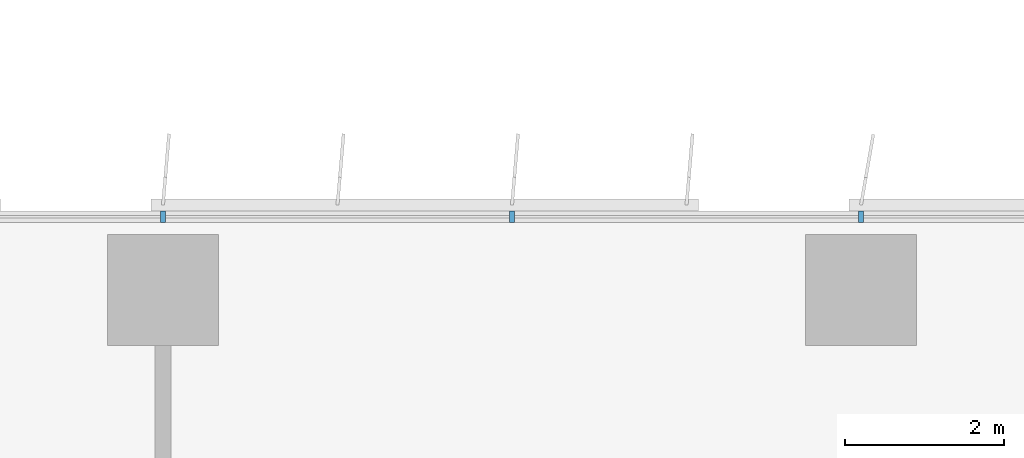
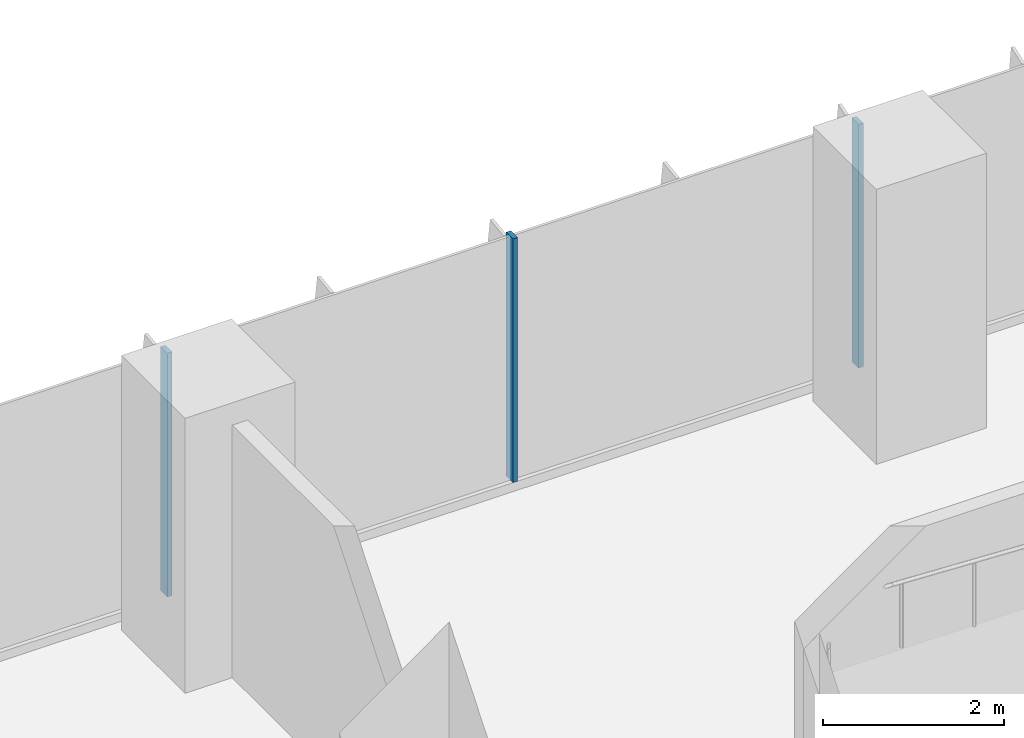
# One storey, part 4 of 24: 3 members, 1 element without a shape of its own.
"""IFC4 building model written with IfcOpenShell, lengths in metres."""

import ifcopenshell
import ifcopenshell.guid

model = None  # the IFC model being written
_history = None  # IfcOwnerHistory: only IFC2X3 demands one
_inside = {}  # id of a spatial element -> (the spatial element, [elements in it])
_under = {}  # id of a project, library or spatial element -> (it, [spatial elements below it])
_declared = {}  # id of a project -> (the project, [libraries it declares])
_typed = {}  # id of a type object -> (the type object, [elements of that type])
_made_of = {}  # id of a material, layer set ... -> (it, [elements and type objects made of it])


def new_model(schema):
    """Start an empty IFC model of exactly this schema.

    Asked for "IFC4X3", IfcOpenShell would pick the latest addendum, in which some entities
    have other attributes; the version numbers below select the first issue.
    IFC2X3 requires an IfcOwnerHistory on every rooted entity: one is made here for all.
    """
    global model, _history
    if schema == "IFC4X3":
        model = ifcopenshell.file(schema_version=(4, 3, 0, 0))
    else:
        model = ifcopenshell.file(schema=schema)
    _inside.clear()
    _under.clear()
    _declared.clear()
    _typed.clear()
    _made_of.clear()
    _history = None
    if model.schema == "IFC2X3":
        org = make("IfcOrganization", Name="unknown")
        user = make(
            "IfcPersonAndOrganization",
            ThePerson=make("IfcPerson", FamilyName="unknown"),
            TheOrganization=org,
        )
        app = make(
            "IfcApplication",
            ApplicationDeveloper=org,
            Version="unknown",
            ApplicationFullName="unknown",
            ApplicationIdentifier="unknown",
        )
        _history = make(
            "IfcOwnerHistory",
            OwningUser=user,
            OwningApplication=app,
            ChangeAction="ADDED",
            CreationDate=0,
        )
    return model


def make(cls, **values):
    """One entity of the class cls with the attributes given. An attribute that is None is left unset."""
    return model.create_entity(
        cls, **{name: value for name, value in values.items() if value is not None}
    )


def rooted(cls, **values):
    """An entity with a GlobalId (a new one), such as an element, a storey or a relation."""
    return make(cls, GlobalId=ifcopenshell.guid.new(), OwnerHistory=_history, **values)


def si_unit(unit_type, name, prefix=None):
    """IfcSIUnit, for example si_unit("LENGTHUNIT", "METRE", prefix="MILLI")."""
    return make("IfcSIUnit", UnitType=unit_type, Prefix=prefix, Name=name)


def assignment(units):
    """IfcUnitAssignment: the units of a project."""
    return None if units is None else make("IfcUnitAssignment", Units=units)


def point(xyz):
    """IfcCartesianPoint."""
    return None if xyz is None else make("IfcCartesianPoint", Coordinates=xyz)


def direction(xyz):
    """IfcDirection."""
    return None if xyz is None else make("IfcDirection", DirectionRatios=xyz)


def frame(location, z_axis=None, x_axis=None):
    """IfcAxis2Placement3D, a coordinate frame: its origin and axes. An axis left out is left unset."""
    return make(
        "IfcAxis2Placement3D",
        Location=point(location),
        Axis=direction(z_axis),
        RefDirection=direction(x_axis),
    )


def frame_2d(location, x_axis=None):
    """IfcAxis2Placement2D, a coordinate frame in the plane: its origin and x axis."""
    return make(
        "IfcAxis2Placement2D", Location=point(location), RefDirection=direction(x_axis)
    )


def origin():
    """The frame at (0, 0, 0) with its axes left unset."""
    return frame((0.0, 0.0, 0.0))


def origin_2d():
    """The frame at (0, 0) in the plane with its x axis left unset."""
    return frame_2d((0.0, 0.0))


def place(relative_to, where):
    """IfcLocalPlacement: puts the frame where relative to a parent placement (None: the world)."""
    return make(
        "IfcLocalPlacement", PlacementRelTo=relative_to, RelativePlacement=where
    )


def context(
    kind, dimensions, precision=None, world=None, true_north=None, identifier=None
):
    """IfcGeometricRepresentationContext, for example the 3D "Model" context."""
    return make(
        "IfcGeometricRepresentationContext",
        ContextIdentifier=identifier,
        ContextType=kind,
        CoordinateSpaceDimension=dimensions,
        Precision=precision,
        WorldCoordinateSystem=world,
        TrueNorth=true_north,
    )


def subcontext(parent, identifier, kind, view, scale=None):
    """IfcGeometricRepresentationSubContext, for example "Body" below "Model"."""
    return make(
        "IfcGeometricRepresentationSubContext",
        ContextIdentifier=identifier,
        ContextType=kind,
        ParentContext=parent,
        TargetScale=scale,
        TargetView=view,
    )


def project(units=None, contexts=None):
    """IfcProject with its units and contexts."""
    return rooted(
        "IfcProject",
        Name="project",
        RepresentationContexts=contexts,
        UnitsInContext=assignment(units),
    )


def spatial(cls, under=None, at=None, **own):
    """A site, building, storey or space (cls), placed at a placement, below another one or the project."""
    s = rooted(cls, ObjectPlacement=at, **own)
    if under is not None:
        _under.setdefault(under.id(), (under, []))[1].append(s)
    return s


def profile(cls, at=None, kind="AREA", **sizes):
    """A parametric profile (cls). Its sizes go by their IFC names, for example OverallWidth=200.0."""
    return make(cls, ProfileType=kind, Position=at, **sizes)


def rectangle(**sizes):
    """IfcRectangleProfileDef."""
    return profile("IfcRectangleProfileDef", **sizes)


def extrude(swept, where, along, depth):
    """IfcExtrudedAreaSolid: the profile swept, set in the frame where, extruded along a direction by depth."""
    return make(
        "IfcExtrudedAreaSolid",
        SweptArea=swept,
        Position=where,
        ExtrudedDirection=direction(along),
        Depth=depth,
    )


def shape(context_of_items, identifier, shape_type, items):
    """IfcShapeRepresentation: the items that make up one representation, for example the "Body"."""
    return make(
        "IfcShapeRepresentation",
        ContextOfItems=context_of_items,
        RepresentationIdentifier=identifier,
        RepresentationType=shape_type,
        Items=items,
    )


def source(mapping_origin, context_of_items, identifier, shape_type, items):
    """IfcRepresentationMap: a shape defined once, which mapped items show again and again."""
    return make(
        "IfcRepresentationMap",
        MappingOrigin=mapping_origin,
        MappedRepresentation=shape(context_of_items, identifier, shape_type, items),
    )


def transform(
    local_origin,
    x_axis=None,
    y_axis=None,
    z_axis=None,
    scale=None,
    scale2=None,
    scale3=None,
    uniform=True,
):
    """IfcCartesianTransformationOperator3D, or its non-uniform kind. x_axis, y_axis, z_axis: its Axis1, 2, 3."""
    if uniform:
        return make(
            "IfcCartesianTransformationOperator3D",
            Axis1=direction(x_axis),
            Axis2=direction(y_axis),
            LocalOrigin=point(local_origin),
            Scale=scale,
            Axis3=direction(z_axis),
        )
    return make(
        "IfcCartesianTransformationOperator3DnonUniform",
        Axis1=direction(x_axis),
        Axis2=direction(y_axis),
        LocalOrigin=point(local_origin),
        Scale=scale,
        Axis3=direction(z_axis),
        Scale2=scale2,
        Scale3=scale3,
    )


def mapped(mapping_source, mapping_target):
    """IfcMappedItem: shows the shape of a source again, moved by a transform."""
    return make(
        "IfcMappedItem", MappingSource=mapping_source, MappingTarget=mapping_target
    )


def material(Name=None, Category=None):
    """IfcMaterial."""
    return make("IfcMaterial", Name=Name, Category=Category)


def material_profile(
    of_material, cross_section, Name=None, Category=None, Priority=None
):
    """IfcMaterialProfile: a cross section and its material."""
    return make(
        "IfcMaterialProfile",
        Name=Name,
        Material=of_material,
        Profile=cross_section,
        Priority=Priority,
        Category=Category,
    )


def profile_set(profiles, Name=None, composite=None):
    """IfcMaterialProfileSet."""
    return make(
        "IfcMaterialProfileSet",
        Name=Name,
        MaterialProfiles=profiles,
        CompositeProfile=composite,
    )


def made_of(thing, what):
    """Note that an element or type object is made of a material, layer set ...; save() writes the relation."""
    if what is not None:
        _made_of.setdefault(what.id(), (what, []))[1].append(thing)
    return thing


def type_object(cls, material=None, **own):
    """A type object (cls), such as IfcWallType, which elements share."""
    return made_of(rooted(cls, **own), material)


def element(
    cls,
    number,
    at=None,
    inside=None,
    cuts=None,
    type_object=None,
    material=None,
    context=None,
    identifier="Body",
    shape_type=None,
    held_by="IfcProductDefinitionShape",
    body=None,
    shapes=None,
    **own,
):
    """One element of the class cls, such as IfcWall. Its Tag is "e" and its number.

    at: its placement. inside: the storey or other place that contains it. cuts: it is an
    opening in that element (IfcRelVoidsElement). A single representation is given by context,
    identifier, shape_type and body (its items); several are given by shapes. held_by: the class
    of the entity that holds the representations. save() writes the other relations.
    """
    e = rooted(cls, Tag="e%d" % number, ObjectPlacement=at, **own)
    if body is not None:
        shapes = [shape(context, identifier, shape_type, body)]
    if shapes is not None:
        e.Representation = make(held_by, Representations=shapes)
    if inside is not None:
        _inside.setdefault(inside.id(), (inside, []))[1].append(e)
    if cuts is not None:
        rooted(
            "IfcRelVoidsElement", RelatingBuildingElement=cuts, RelatedOpeningElement=e
        )
    if type_object is not None:
        _typed.setdefault(type_object.id(), (type_object, []))[1].append(e)
    return made_of(e, material)


def aggregate(whole, parts):
    """IfcRelAggregates: a whole, such as a stair, and the parts it consists of."""
    return rooted("IfcRelAggregates", RelatingObject=whole, RelatedObjects=parts)


def save(model, path):
    """Write the relations noted so far, then the file.

    IfcRelAggregates (storeys below a building ...), IfcRelContainedInSpatialStructure (elements
    in a storey), IfcRelDefinesByType, IfcRelAssociatesMaterial and IfcRelDeclares: one each for
    every whole, place, type object, material and project.
    """
    for whole, parts in _under.values():
        aggregate(whole, parts)
    for where, things in _inside.values():
        rooted(
            "IfcRelContainedInSpatialStructure",
            RelatedElements=things,
            RelatingStructure=where,
        )
    for kind, things in _typed.values():
        rooted("IfcRelDefinesByType", RelatedObjects=things, RelatingType=kind)
    for what, things in _made_of.values():
        rooted("IfcRelAssociatesMaterial", RelatedObjects=things, RelatingMaterial=what)
    for by, libraries in _declared.values():
        rooted("IfcRelDeclares", RelatingContext=by, RelatedDefinitions=libraries)
    model.write(path)


model = new_model("IFC4")

# Units and contexts
model_context = context("Model", 3, precision=1e-05, world=origin(), true_north=direction((0.0, 1.0)))
body_context = subcontext(model_context, "Body", "Model", "MODEL_VIEW")
ifc_project = project(units=[si_unit("LENGTHUNIT", "METRE"), si_unit("AREAUNIT", "SQUARE_METRE"), si_unit("VOLUMEUNIT", "CUBIC_METRE"), si_unit("PLANEANGLEUNIT", "RADIAN"), si_unit("MASSUNIT", "GRAM", prefix="KILO")], contexts=[model_context])

# Site, building, storey
site_placement = place(None, origin())
site = spatial("IfcSite", under=ifc_project, at=site_placement, CompositionType="ELEMENT")
building_placement = place(site_placement, origin())
building = spatial("IfcBuilding", under=site, at=building_placement, Name="Kemantara Hotel Tower", CompositionType="ELEMENT")
storey_placement = place(building_placement, frame((0.0, 0.0, 52.5)))
storey = spatial("IfcBuildingStorey", under=building, at=storey_placement, Name="L11", CompositionType="ELEMENT", Elevation=52.5)

# Curtain wall, members
ifc_material_1 = material(Name="Low-E tinted double insulated glass 36 mm", Category="glass")
curtain_wall_type = type_object("IfcCurtainWallType", Name="TOWER CURTAIN WALL, FRONT FACES", PredefinedType="USERDEFINED", material=ifc_material_1)
curtain_wall_placement = place(storey_placement, origin())
curtain_wall = element("IfcCurtainWall", 1, at=curtain_wall_placement, inside=storey, type_object=curtain_wall_type, Name="CW4 L11 T1-R07-1", ObjectType="TOWER CURTAIN WALL, FRONT FACES", PredefinedType="USERDEFINED")
ifc_material_2 = material(Name="Aluminium 6063-T6 bronze anodised", Category="aluminium")
ifc_material_profile = material_profile(ifc_material_2, rectangle(XDim=0.14990234375, YDim=0.06005859375, at=origin_2d()), Name="TOWER CURTAIN WALL, FRONT FACES MULLION")
ifc_profile_set = profile_set([ifc_material_profile], Name="Aluminium 6063-T6 bronze anodised")
member_type = type_object("IfcMemberType", Name="TOWER CURTAIN WALL, FRONT FACES MULLION", PredefinedType="MULLION", material=ifc_profile_set)
shared_shape = source(origin(), body_context, "Body", "SweptSolid", [
    extrude(rectangle(XDim=0.14990234375, YDim=0.06005859375, at=origin_2d()), origin(), (0.0, 0.0, 1.0), 3.27978515625),
])
member_1_placement = place(storey_placement, frame((62.60009765625, 26.72509765625, 0.1201171875), z_axis=(0.0, 0.0, 1.0), x_axis=(0.0, -1.0, 0.0)))
member_1 = element("IfcMember", 2, at=member_1_placement, type_object=member_type, Name="CW4 mullion T1-R07-1.5", PredefinedType="MULLION", context=body_context, shape_type="MappedRepresentation", body=[
    mapped(shared_shape, transform((0.0, 0.0, 0.0))),
])
member_2_placement = place(storey_placement, frame((58.199951171875, 26.72509765625, 0.1201171875), z_axis=(0.0, 0.0, 1.0), x_axis=(0.0, -1.0, 0.0)))
member_2 = element("IfcMember", 3, at=member_2_placement, type_object=member_type, Name="CW4 mullion T1-R07-1.6", PredefinedType="MULLION", context=body_context, shape_type="MappedRepresentation", body=[
    mapped(shared_shape, transform((0.0, 0.0, 0.0))),
])
member_3_placement = place(storey_placement, frame((53.800048828125, 26.72509765625, 0.1201171875), z_axis=(0.0, 0.0, 1.0), x_axis=(0.0, -1.0, 0.0)))
member_3 = element("IfcMember", 4, at=member_3_placement, type_object=member_type, Name="CW4 mullion T1-R07-1.7", PredefinedType="MULLION", context=body_context, shape_type="MappedRepresentation", body=[
    mapped(shared_shape, transform((0.0, 0.0, 0.0))),
])
aggregate(curtain_wall, [member_1, member_2, member_3])

save(model, "model.ifc")
